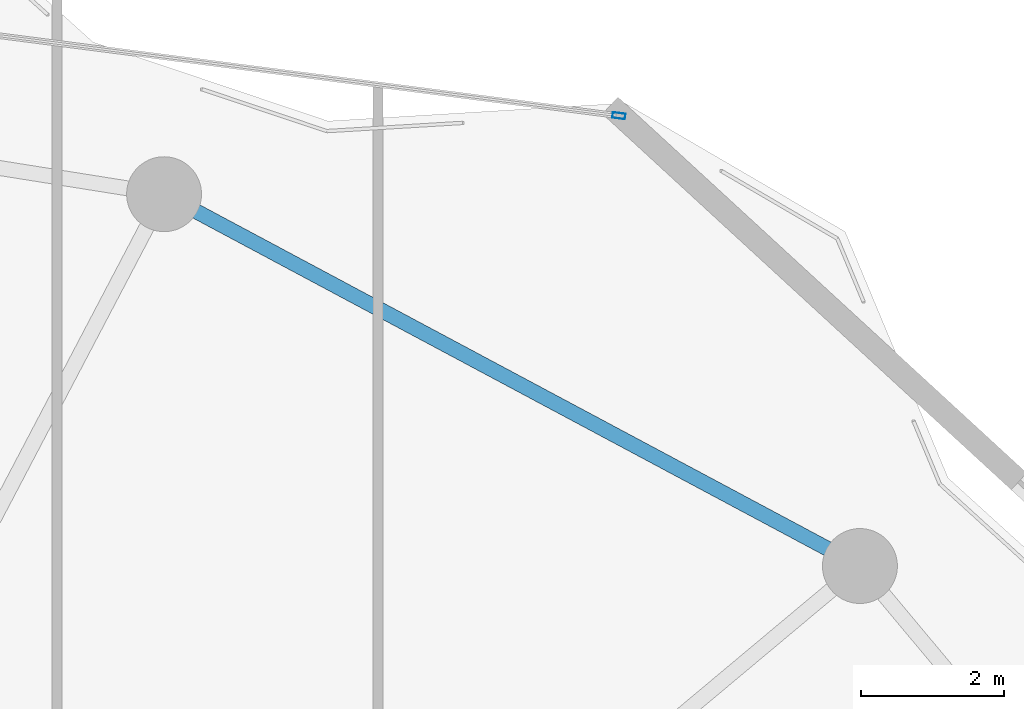
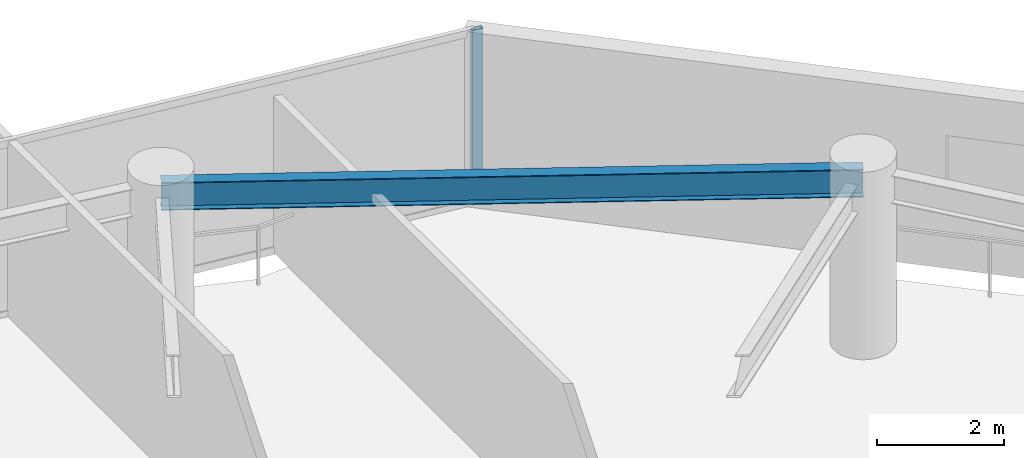
# One storey, part 23 of 31: 1 beam, 1 member, 1 element without a shape of its own.
"""IFC4 building model written with IfcOpenShell, lengths in metres."""

from ifc_helpers import new_model, si_unit, direction, frame, origin, origin_2d, place, context, subcontext, project, spatial, hollow_rectangle, i_section, extrude, material, layer, layer_set, material_profile, profile_set, type_object, element, aggregate, save


model = new_model("IFC4")

# Units and contexts
model_context = context("Model", 3, precision=1e-05, world=origin(), true_north=direction((0.0, 1.0)))
body_context = subcontext(model_context, "Body", "Model", "MODEL_VIEW")
ifc_project = project(units=[si_unit("LENGTHUNIT", "METRE"), si_unit("AREAUNIT", "SQUARE_METRE"), si_unit("VOLUMEUNIT", "CUBIC_METRE"), si_unit("PLANEANGLEUNIT", "RADIAN"), si_unit("MASSUNIT", "GRAM", prefix="KILO")], contexts=[model_context])

# Site, building, storey
site_placement = place(None, origin())
site = spatial("IfcSite", under=ifc_project, at=site_placement, CompositionType="ELEMENT")
building_placement = place(site_placement, origin())
building = spatial("IfcBuilding", under=site, at=building_placement, Name="Kazevale Care Tower and Concert Hall", CompositionType="ELEMENT")
storey_placement = place(building_placement, frame((0.0, 0.0, 206.39990234375)))
storey = spatial("IfcBuildingStorey", under=building, at=storey_placement, Name="L54", CompositionType="ELEMENT", Elevation=206.39990234375)

# Curtain wall, member
ifc_material_1 = material(Name="Aluminium 6063-T6 and Low-E Glass", Category="aluminium")
ifc_layer = layer(ifc_material_1, 0.179931640625)
ifc_layer_set = layer_set([ifc_layer], Name="Aluminium 6063-T6 and Low-E Glass")
curtain_wall_type = type_object("IfcCurtainWallType", Name="Waist & Upper Residential Curtain Wall CW-4", PredefinedType="NOTDEFINED", material=ifc_layer_set)
curtain_wall_placement = place(storey_placement, origin())
curtain_wall = element("IfcCurtainWall", 1, at=curtain_wall_placement, inside=storey, type_object=curtain_wall_type, Name="cw:L54:f16", PredefinedType="NOTDEFINED")
ifc_material_2 = material(Name="Aluminium 6063-T6", Category="aluminium")
ifc_material_profile_1 = material_profile(ifc_material_2, hollow_rectangle(XDim=0.080078125, YDim=0.179931640625, WallThickness=0.0048828125, at=origin_2d()), Name="ALU80x180x5")
ifc_profile_set_1 = profile_set([ifc_material_profile_1], Name="Aluminium 6063-T6")
member_type = type_object("IfcMemberType", Name="CW-4 Mullion ALU80x180x5", PredefinedType="MULLION", material=ifc_profile_set_1)
member_placement = place(storey_placement, frame((62.873291015625, 61.319091796875, 0.0), z_axis=(0.0, 0.0, 1.0), x_axis=(0.128098132904, 0.991761497713, 0.0)))
member = element("IfcMember", 2, at=member_placement, type_object=member_type, Name="CW-4 mullion 2", PredefinedType="MULLION", context=body_context, shape_type="SweptSolid", body=[
    extrude(hollow_rectangle(XDim=0.080078125, YDim=0.179931640625, WallThickness=0.0048828125, at=origin_2d()), origin(), (0.0, 0.0, 1.0), 3.360107421875),
])
aggregate(curtain_wall, [member])

# Beam
ifc_material_3 = material(Name="Steel ASTM A572 Gr 50", Category="steel")
ifc_material_profile_2 = material_profile(ifc_material_3, i_section(OverallWidth=0.208984375, OverallDepth=0.532958984375, WebThickness=0.01025390625, FlangeThickness=0.015625, at=origin_2d()), Name="W530x92")
ifc_profile_set_2 = profile_set([ifc_material_profile_2], Name="Steel ASTM A572 Gr 50")
beam_type = type_object("IfcBeamType", Name="Upper Ring Beam W530x92", PredefinedType="BEAM", material=ifc_profile_set_2)
beam_placement = place(storey_placement, frame((66.25, 55.010009765625, 3.093505859375), z_axis=(-0.881978519833, 0.471289603697, 0.0), x_axis=(-0.471289603697, -0.881978519833, 0.0)))
element("IfcBeam", 3, at=beam_placement, inside=storey, type_object=beam_type, Name="beam:L54:ring:03", PredefinedType="BEAM", context=body_context, shape_type="SweptSolid", body=[
    extrude(i_section(OverallWidth=0.208984375, OverallDepth=0.532958984375, WebThickness=0.01025390625, FlangeThickness=0.015625, at=origin_2d()), origin(), (0.0, 0.0, 1.0), 11.0546875),
])

save(model, "model.ifc")
